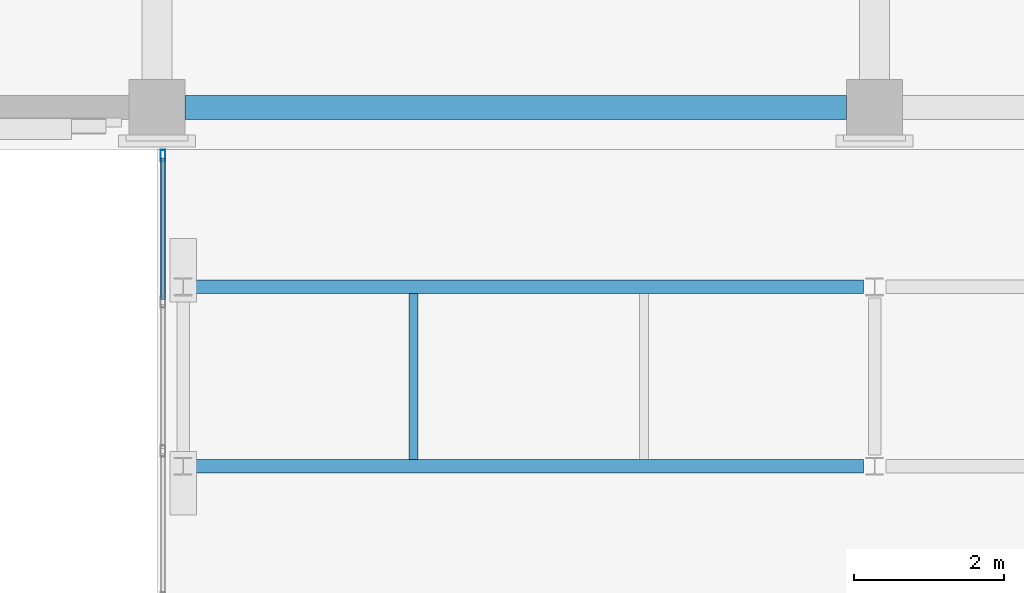
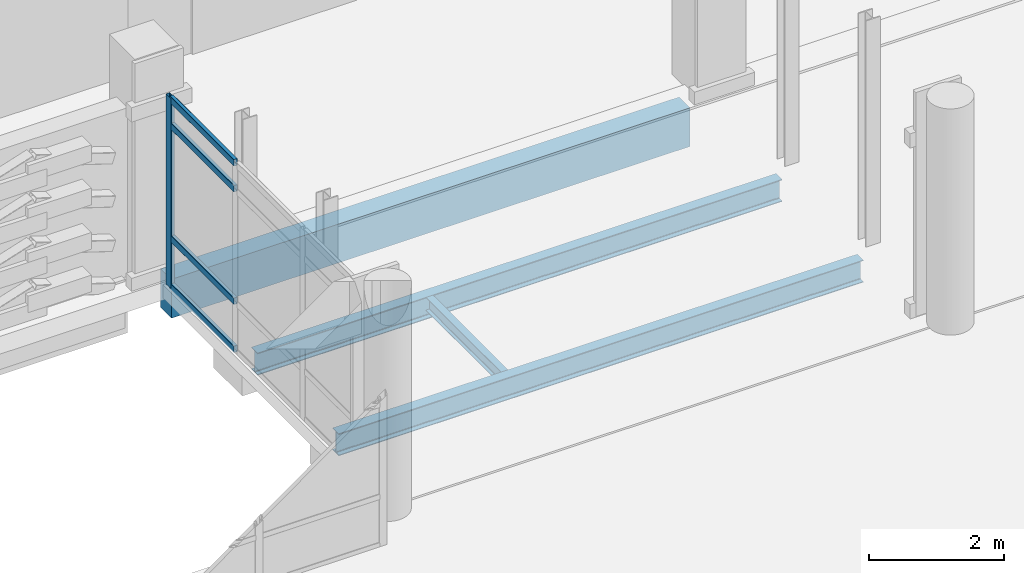
# One storey, part 78 of 180: 5 members, 4 beams, 1 element without a shape of its own.
"""IFC4 building model written with IfcOpenShell, lengths in metres."""

from ifc_helpers import new_model, si_unit, direction, frame, origin, origin_2d, place, context, subcontext, project, spatial, rectangle, hollow_rectangle, i_section, extrude, material, layer, layer_set, material_profile, profile_set, type_object, element, aggregate, save


model = new_model("IFC4")

# Units and contexts
model_context = context("Model", 3, precision=1e-05, world=origin(), true_north=direction((0.0, 1.0)))
body_context = subcontext(model_context, "Body", "Model", "MODEL_VIEW")
ifc_project = project(units=[si_unit("LENGTHUNIT", "METRE"), si_unit("AREAUNIT", "SQUARE_METRE"), si_unit("VOLUMEUNIT", "CUBIC_METRE"), si_unit("PLANEANGLEUNIT", "RADIAN"), si_unit("MASSUNIT", "GRAM", prefix="KILO")], contexts=[model_context])

# Site, building, storey
site_placement = place(None, origin())
site = spatial("IfcSite", under=ifc_project, at=site_placement, CompositionType="ELEMENT")
building_placement = place(site_placement, origin())
building = spatial("IfcBuilding", under=site, at=building_placement, Name="Asteropetra Specialist Clinic", CompositionType="ELEMENT")
storey_placement = place(building_placement, frame((0.0, 0.0, 4.419921875)))
storey = spatial("IfcBuildingStorey", under=building, at=storey_placement, Name="L01", CompositionType="ELEMENT", Elevation=4.419921875)

# Beams
ifc_material_1 = material(Name="Steel S355", Category="steel")
ifc_material_profile_1 = material_profile(ifc_material_1, i_section(OverallWidth=0.179931640625, OverallDepth=0.39990234375, WebThickness=0.008544921875, FlangeThickness=0.013427734375, FilletRadius=0.02099609375, at=origin_2d()), Name="IPE 400")
ifc_profile_set_1 = profile_set([ifc_material_profile_1], Name="Steel S355")
beam_type_1 = type_object("IfcBeamType", Name="BM-STL-IPE400", PredefinedType="BEAM", material=ifc_profile_set_1)
for number, where, z_axis, x_axis, name in (
    (1, (10.10009765625, 64.800048828125, -0.43994140625), (1.0, 0.0, 0.0), (0.0, 1.0, 0.0), "Beam BBMS3-0811"),
    (2, (10.10009765625, 67.199951171875, -0.43994140625), (1.0, 0.0, 0.0), (0.0, 1.0, 0.0), "Beam BBMS3-0813"),
):
    element("IfcBeam", number, at=place(storey_placement, frame(where, z_axis=z_axis, x_axis=x_axis)), inside=storey, type_object=beam_type_1, Name=name, PredefinedType="BEAM", context=body_context, shape_type="SweptSolid", body=[
        extrude(i_section(OverallWidth=0.179931640625, OverallDepth=0.39990234375, WebThickness=0.008544921875, FlangeThickness=0.013427734375, FilletRadius=0.02099609375, at=origin_2d()), origin(), (0.0, 0.0, 1.0), 8.949951171875),
    ])

# Curtain wall, members
ifc_material_2 = material(Name="Aluminium and low-E glass", Category="aluminium")
ifc_layer = layer(ifc_material_2, 0.14990234375)
ifc_layer_set = layer_set([ifc_layer], Name="Aluminium and low-E glass")
curtain_wall_type = type_object("IfcCurtainWallType", Name="CW-SYS-08", PredefinedType="USERDEFINED", material=ifc_layer_set)
curtain_wall_placement = place(storey_placement, origin())
curtain_wall = element("IfcCurtainWall", 3, at=curtain_wall_placement, inside=storey, type_object=curtain_wall_type, Name="Curtain Wall CW-103", ObjectType="STICK GLAZED COLONNADE", PredefinedType="USERDEFINED")
ifc_material_3 = material(Name="Aluminium 6063-T6", Category="aluminium")
ifc_material_profile_2 = material_profile(ifc_material_3, hollow_rectangle(XDim=0.06494140625, YDim=0.14990234375, WallThickness=0.00390625, InnerFilletRadius=0.00390625, OuterFilletRadius=0.008056640625, at=origin_2d()), Name="MUL 150x65x4.0")
ifc_profile_set_2 = profile_set([ifc_material_profile_2], Name="Aluminium 6063-T6")
member_type_1 = type_object("IfcMemberType", Name="CWM-150x65", PredefinedType="MULLION", material=ifc_profile_set_2)
member_1_placement = place(storey_placement, frame((9.679931640625, 68.95751953125, 0.0), z_axis=(0.0, 0.0, 1.0), x_axis=(-1.0, 0.0, 0.0)))
member_1 = element("IfcMember", 4, at=member_1_placement, type_object=member_type_1, Name="CW-103 mullion 4", PredefinedType="MULLION", context=body_context, shape_type="SweptSolid", body=[
    extrude(hollow_rectangle(XDim=0.06494140625, YDim=0.14990234375, WallThickness=0.00390625, InnerFilletRadius=0.00390625, OuterFilletRadius=0.008056640625, at=origin_2d()), origin(), (0.0, 0.0, 1.0), 3.43017578125),
])
ifc_material_4 = material(Name="Aluminium 6063-T6", Category="aluminium")
ifc_material_profile_3 = material_profile(ifc_material_4, hollow_rectangle(XDim=0.06494140625, YDim=0.1201171875, WallThickness=0.00390625, InnerFilletRadius=0.00390625, OuterFilletRadius=0.008056640625, at=origin_2d()), Name="TRN 120x65x4.0")
ifc_profile_set_3 = profile_set([ifc_material_profile_3], Name="Aluminium 6063-T6")
member_type_2 = type_object("IfcMemberType", Name="CWT-120x65", PredefinedType="USERDEFINED", material=ifc_profile_set_3)
member_2_placement = place(storey_placement, frame((9.679931640625, 67.029052734375, 0.032470703125), z_axis=(0.0, 1.0, 0.0), x_axis=(-1.0, 0.0, 0.0)))
member_2 = element("IfcMember", 5, at=member_2_placement, type_object=member_type_2, Name="CW-103 transom 3.1", ObjectType="TRANSOM", PredefinedType="USERDEFINED", context=body_context, shape_type="SweptSolid", body=[
    extrude(hollow_rectangle(XDim=0.06494140625, YDim=0.1201171875, WallThickness=0.00390625, InnerFilletRadius=0.00390625, OuterFilletRadius=0.008056640625, at=origin_2d()), origin(), (0.0, 0.0, 1.0), 1.89599609375),
])
member_3_placement = place(storey_placement, frame((9.679931640625, 67.029052734375, 0.900146484375), z_axis=(0.0, 1.0, 0.0), x_axis=(-1.0, 0.0, 0.0)))
member_3 = element("IfcMember", 6, at=member_3_placement, type_object=member_type_2, Name="CW-103 transom 3.2", ObjectType="TRANSOM", PredefinedType="USERDEFINED", context=body_context, shape_type="SweptSolid", body=[
    extrude(hollow_rectangle(XDim=0.06494140625, YDim=0.1201171875, WallThickness=0.00390625, InnerFilletRadius=0.00390625, OuterFilletRadius=0.008056640625, at=origin_2d()), origin(), (0.0, 0.0, 1.0), 1.89599609375),
])
member_4_placement = place(storey_placement, frame((9.679931640625, 67.029052734375, 2.93017578125), z_axis=(0.0, 1.0, 0.0), x_axis=(-1.0, 0.0, 0.0)))
member_4 = element("IfcMember", 7, at=member_4_placement, type_object=member_type_2, Name="CW-103 transom 3.3", ObjectType="TRANSOM", PredefinedType="USERDEFINED", context=body_context, shape_type="SweptSolid", body=[
    extrude(hollow_rectangle(XDim=0.06494140625, YDim=0.1201171875, WallThickness=0.00390625, InnerFilletRadius=0.00390625, OuterFilletRadius=0.008056640625, at=origin_2d()), origin(), (0.0, 0.0, 1.0), 1.89599609375),
])
member_5_placement = place(storey_placement, frame((9.679931640625, 67.029052734375, 3.3974609375), z_axis=(0.0, 1.0, 0.0), x_axis=(-1.0, 0.0, 0.0)))
member_5 = element("IfcMember", 8, at=member_5_placement, type_object=member_type_2, Name="CW-103 transom 3.4", ObjectType="TRANSOM", PredefinedType="USERDEFINED", context=body_context, shape_type="SweptSolid", body=[
    extrude(hollow_rectangle(XDim=0.06494140625, YDim=0.1201171875, WallThickness=0.00390625, InnerFilletRadius=0.00390625, OuterFilletRadius=0.008056640625, at=origin_2d()), origin(), (0.0, 0.0, 1.0), 1.89599609375),
])
aggregate(curtain_wall, [member_1, member_2, member_3, member_4, member_5])

# Beams
ifc_material_5 = material(Name="Steel S355", Category="steel")
ifc_material_profile_4 = material_profile(ifc_material_5, i_section(OverallWidth=0.1201171875, OverallDepth=0.239990234375, WebThickness=0.006103515625, FlangeThickness=0.009765625, FilletRadius=0.014892578125, at=origin_2d()), Name="IPE 240")
ifc_profile_set_4 = profile_set([ifc_material_profile_4], Name="Steel S355")
beam_type_2 = type_object("IfcBeamType", Name="JST-STL-IPE240", PredefinedType="JOIST", material=ifc_profile_set_4)
beam_1_placement = place(storey_placement, frame((13.033203125, 64.889892578125, -0.35986328125), z_axis=(0.0, 1.0, 0.0), x_axis=(-1.0, 0.0, 0.0)))
element("IfcBeam", 9, at=beam_1_placement, inside=storey, type_object=beam_type_2, Name="Joist JJSTS1-0818", PredefinedType="JOIST", context=body_context, shape_type="SweptSolid", body=[
    extrude(i_section(OverallWidth=0.1201171875, OverallDepth=0.239990234375, WebThickness=0.006103515625, FlangeThickness=0.009765625, FilletRadius=0.014892578125, at=origin_2d()), origin(), (0.0, 0.0, 1.0), 2.22021484375),
])
ifc_material_6 = material(Name="Concrete C35/45", Category="concrete")
ifc_material_profile_5 = material_profile(ifc_material_6, rectangle(XDim=0.320068359375, YDim=0.699951171875, at=origin_2d()), Name="RCS 320x700")
ifc_profile_set_5 = profile_set([ifc_material_profile_5], Name="Concrete C35/45")
beam_type_3 = type_object("IfcBeamType", Name="SPN-RC320x700", PredefinedType="SPANDREL", material=ifc_profile_set_5)
beam_2_placement = place(storey_placement, frame((9.97509765625, 69.60009765625, -0.6298828125), z_axis=(1.0, 0.0, 0.0), x_axis=(0.0, 1.0, 0.0)))
element("IfcBeam", 10, at=beam_2_placement, inside=storey, type_object=beam_type_3, Name="Beam BSPN02-0627", PredefinedType="SPANDREL", context=body_context, shape_type="SweptSolid", body=[
    extrude(rectangle(XDim=0.320068359375, YDim=0.699951171875, at=origin_2d()), origin(), (0.0, 0.0, 1.0), 8.849853515625),
])

save(model, "model.ifc")
